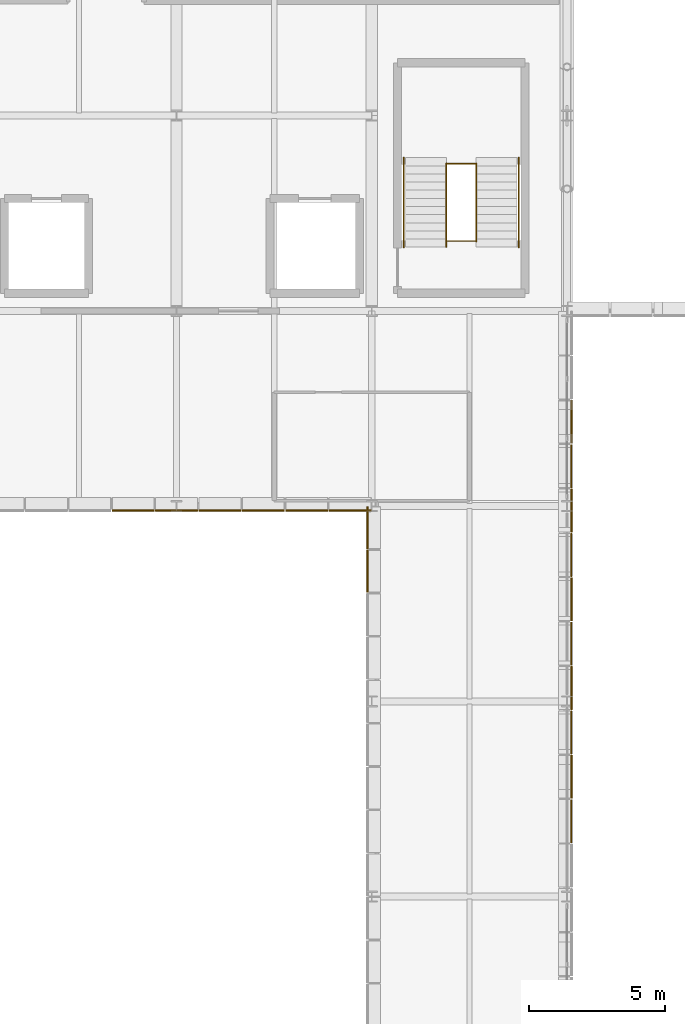
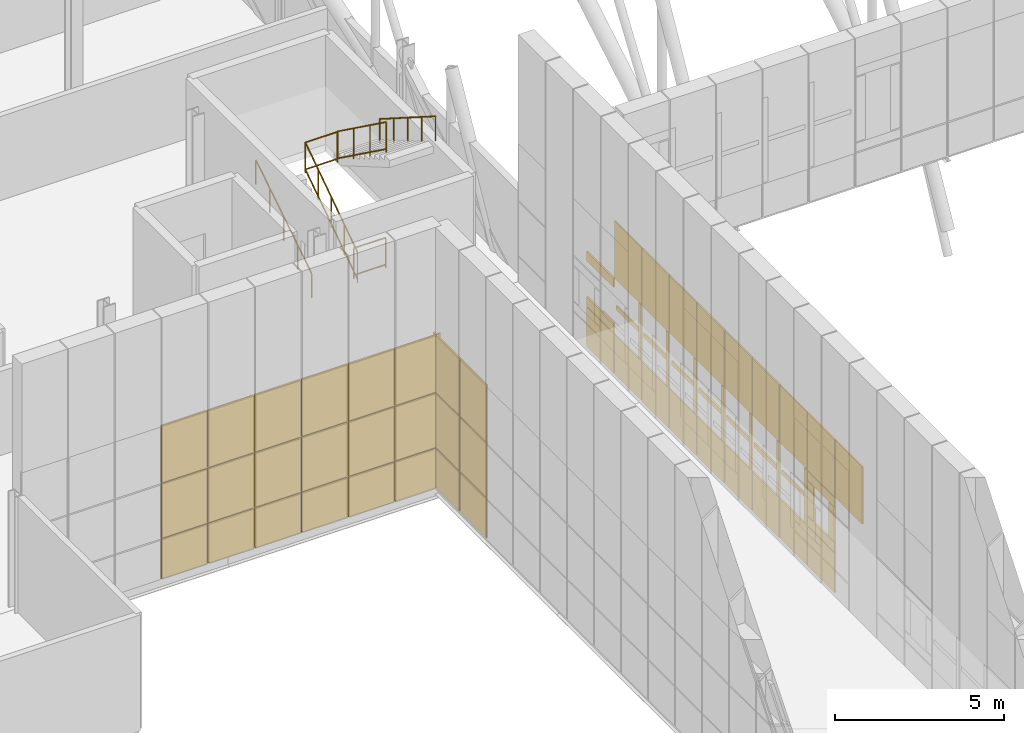
# One storey, part 131 of 144: 62 coverings, 6 railings.
"""IFC4 building model written with IfcOpenShell, lengths in metres."""

from ifc_helpers import new_model, si_unit, direction, frame, origin, origin_2d, place, context, subcontext, project, spatial, rectangle, circle, extrude, material, layer, layer_set, type_object, element, save


model = new_model("IFC4")

# Units and contexts
model_context = context("Model", 3, precision=1e-05, world=origin(), true_north=direction((0.0, 1.0)))
body_context = subcontext(model_context, "Body", "Model", "MODEL_VIEW")
ifc_project = project(units=[si_unit("LENGTHUNIT", "METRE"), si_unit("AREAUNIT", "SQUARE_METRE"), si_unit("VOLUMEUNIT", "CUBIC_METRE"), si_unit("PLANEANGLEUNIT", "RADIAN"), si_unit("MASSUNIT", "GRAM", prefix="KILO")], contexts=[model_context])

# Site, building, storey
site_placement = place(None, origin())
site = spatial("IfcSite", under=ifc_project, at=site_placement, CompositionType="ELEMENT")
building_placement = place(site_placement, origin())
building = spatial("IfcBuilding", under=site, at=building_placement, Name="Yarey Park Central Fire Station", CompositionType="ELEMENT")
storey_placement = place(building_placement, frame((0.0, 0.0, 10.199951171875)))
storey = spatial("IfcBuildingStorey", under=building, at=storey_placement, Name="L03", CompositionType="ELEMENT", Elevation=10.199951171875)

# Coverings
ifc_material_1 = material(Name="Perforated Powder-Coated Aluminium Cladding", Category="aluminium")
ifc_layer_1 = layer(ifc_material_1, 0.0419921875)
ifc_layer_set_1 = layer_set([ifc_layer_1], Name="Perforated Powder-Coated Aluminium Cladding")
covering_type_1 = type_object("IfcCoveringType", Name="ENV_COV_PERF_1", PredefinedType="CLADDING", material=ifc_layer_set_1)
covering_1_placement = place(storey_placement, frame((57.760009765625, 38.78173828125, 2.96484375), z_axis=(0.0, 0.0, 1.0), x_axis=(0.0, 1.0, 0.0)))
element("IfcCovering", 1, at=covering_1_placement, inside=storey, type_object=covering_type_1, Name="PERF_L03_0382", PredefinedType="CLADDING", context=body_context, shape_type="SweptSolid", body=[
    extrude(rectangle(XDim=1.596435546875, YDim=0.0419921875, at=origin_2d()), origin(), (0.0, 0.0, 1.0), 2.070068359375),
])
covering_2_placement = place(storey_placement, frame((57.760009765625, 42.054443359375, -0.5048828125), z_axis=(0.0, 0.0, 1.0), x_axis=(0.0, 1.0, 0.0)))
element("IfcCovering", 2, at=covering_2_placement, inside=storey, type_object=covering_type_1, Name="PERF_L03_0396", PredefinedType="CLADDING", context=body_context, shape_type="SweptSolid", body=[
    extrude(rectangle(XDim=1.596435546875, YDim=0.0419921875, at=origin_2d()), origin(), (0.0, 0.0, 1.0), 1.43994140625),
])
covering_3_placement = place(storey_placement, frame((57.760009765625, 41.34619140625, 0.96484375), z_axis=(0.0, 0.0, 1.0), x_axis=(0.0, 1.0, 0.0)))
element("IfcCovering", 3, at=covering_3_placement, inside=storey, type_object=covering_type_1, Name="PERF_L03_0397", PredefinedType="CLADDING", context=body_context, shape_type="SweptSolid", body=[
    extrude(rectangle(XDim=0.159912109375, YDim=0.0419921875, at=origin_2d()), origin(), (0.0, 0.0, 1.0), 1.969970703125),
])
covering_4_placement = place(storey_placement, frame((57.760009765625, 42.054443359375, 1.8701171875), z_axis=(0.0, 0.0, 1.0), x_axis=(0.0, 1.0, 0.0)))
element("IfcCovering", 4, at=covering_4_placement, inside=storey, type_object=covering_type_1, Name="PERF_L03_0398", PredefinedType="CLADDING", context=body_context, shape_type="SweptSolid", body=[
    extrude(rectangle(XDim=1.396484375, YDim=0.0419921875, at=origin_2d()), origin(), (0.0, 0.0, 1.0), 0.159912109375),
])
covering_5_placement = place(storey_placement, frame((57.760009765625, 42.054443359375, 2.96484375), z_axis=(0.0, 0.0, 1.0), x_axis=(0.0, 1.0, 0.0)))
element("IfcCovering", 5, at=covering_5_placement, inside=storey, type_object=covering_type_1, Name="PERF_L03_0399", PredefinedType="CLADDING", context=body_context, shape_type="SweptSolid", body=[
    extrude(rectangle(XDim=1.596435546875, YDim=0.0419921875, at=origin_2d()), origin(), (0.0, 0.0, 1.0), 2.070068359375),
])
covering_6_placement = place(storey_placement, frame((57.760009765625, 45.327392578125, -0.5048828125), z_axis=(0.0, 0.0, 1.0), x_axis=(0.0, 1.0, 0.0)))
element("IfcCovering", 6, at=covering_6_placement, inside=storey, type_object=covering_type_1, Name="PERF_L03_0410", PredefinedType="CLADDING", context=body_context, shape_type="SweptSolid", body=[
    extrude(rectangle(XDim=1.596435546875, YDim=0.0419921875, at=origin_2d()), origin(), (0.0, 0.0, 1.0), 1.43994140625),
])
covering_7_placement = place(storey_placement, frame((57.760009765625, 44.619140625, 0.96484375), z_axis=(0.0, 0.0, 1.0), x_axis=(0.0, 1.0, 0.0)))
element("IfcCovering", 7, at=covering_7_placement, inside=storey, type_object=covering_type_1, Name="PERF_L03_0411", PredefinedType="CLADDING", context=body_context, shape_type="SweptSolid", body=[
    extrude(rectangle(XDim=0.159912109375, YDim=0.0419921875, at=origin_2d()), origin(), (0.0, 0.0, 1.0), 1.969970703125),
])
covering_8_placement = place(storey_placement, frame((57.760009765625, 45.327392578125, 1.8701171875), z_axis=(0.0, 0.0, 1.0), x_axis=(0.0, 1.0, 0.0)))
element("IfcCovering", 8, at=covering_8_placement, inside=storey, type_object=covering_type_1, Name="PERF_L03_0412", PredefinedType="CLADDING", context=body_context, shape_type="SweptSolid", body=[
    extrude(rectangle(XDim=1.396484375, YDim=0.0419921875, at=origin_2d()), origin(), (0.0, 0.0, 1.0), 0.159912109375),
])
covering_9_placement = place(storey_placement, frame((57.760009765625, 45.327392578125, 2.96484375), z_axis=(0.0, 0.0, 1.0), x_axis=(0.0, 1.0, 0.0)))
element("IfcCovering", 9, at=covering_9_placement, inside=storey, type_object=covering_type_1, Name="PERF_L03_0413", PredefinedType="CLADDING", context=body_context, shape_type="SweptSolid", body=[
    extrude(rectangle(XDim=1.596435546875, YDim=0.0419921875, at=origin_2d()), origin(), (0.0, 0.0, 1.0), 2.070068359375),
])
covering_10_placement = place(storey_placement, frame((57.760009765625, 48.60009765625, -0.5048828125), z_axis=(0.0, 0.0, 1.0), x_axis=(0.0, 1.0, 0.0)))
element("IfcCovering", 10, at=covering_10_placement, inside=storey, type_object=covering_type_1, Name="PERF_L03_0424", PredefinedType="CLADDING", context=body_context, shape_type="SweptSolid", body=[
    extrude(rectangle(XDim=1.596435546875, YDim=0.0419921875, at=origin_2d()), origin(), (0.0, 0.0, 1.0), 1.43994140625),
])
covering_11_placement = place(storey_placement, frame((57.760009765625, 47.891845703125, 0.96484375), z_axis=(0.0, 0.0, 1.0), x_axis=(0.0, 1.0, 0.0)))
element("IfcCovering", 11, at=covering_11_placement, inside=storey, type_object=covering_type_1, Name="PERF_L03_0425", PredefinedType="CLADDING", context=body_context, shape_type="SweptSolid", body=[
    extrude(rectangle(XDim=0.159912109375, YDim=0.0419921875, at=origin_2d()), origin(), (0.0, 0.0, 1.0), 1.969970703125),
])
covering_12_placement = place(storey_placement, frame((57.760009765625, 48.60009765625, 1.8701171875), z_axis=(0.0, 0.0, 1.0), x_axis=(0.0, 1.0, 0.0)))
element("IfcCovering", 12, at=covering_12_placement, inside=storey, type_object=covering_type_1, Name="PERF_L03_0426", PredefinedType="CLADDING", context=body_context, shape_type="SweptSolid", body=[
    extrude(rectangle(XDim=1.396484375, YDim=0.0419921875, at=origin_2d()), origin(), (0.0, 0.0, 1.0), 0.159912109375),
])
covering_13_placement = place(storey_placement, frame((57.760009765625, 48.60009765625, 2.96484375), z_axis=(0.0, 0.0, 1.0), x_axis=(0.0, 1.0, 0.0)))
element("IfcCovering", 13, at=covering_13_placement, inside=storey, type_object=covering_type_1, Name="PERF_L03_0427", PredefinedType="CLADDING", context=body_context, shape_type="SweptSolid", body=[
    extrude(rectangle(XDim=1.596435546875, YDim=0.0419921875, at=origin_2d()), origin(), (0.0, 0.0, 1.0), 2.070068359375),
])
covering_14_placement = place(storey_placement, frame((57.760009765625, 51.872802734375, -0.5048828125), z_axis=(0.0, 0.0, 1.0), x_axis=(0.0, 1.0, 0.0)))
element("IfcCovering", 14, at=covering_14_placement, inside=storey, type_object=covering_type_1, Name="PERF_L03_0438", PredefinedType="CLADDING", context=body_context, shape_type="SweptSolid", body=[
    extrude(rectangle(XDim=1.596435546875, YDim=0.0419921875, at=origin_2d()), origin(), (0.0, 0.0, 1.0), 1.43994140625),
])
covering_15_placement = place(storey_placement, frame((57.760009765625, 51.16455078125, 0.96484375), z_axis=(0.0, 0.0, 1.0), x_axis=(0.0, 1.0, 0.0)))
element("IfcCovering", 15, at=covering_15_placement, inside=storey, type_object=covering_type_1, Name="PERF_L03_0439", PredefinedType="CLADDING", context=body_context, shape_type="SweptSolid", body=[
    extrude(rectangle(XDim=0.159912109375, YDim=0.0419921875, at=origin_2d()), origin(), (0.0, 0.0, 1.0), 1.969970703125),
])
covering_16_placement = place(storey_placement, frame((57.760009765625, 51.872802734375, 1.8701171875), z_axis=(0.0, 0.0, 1.0), x_axis=(0.0, 1.0, 0.0)))
element("IfcCovering", 16, at=covering_16_placement, inside=storey, type_object=covering_type_1, Name="PERF_L03_0440", PredefinedType="CLADDING", context=body_context, shape_type="SweptSolid", body=[
    extrude(rectangle(XDim=1.396484375, YDim=0.0419921875, at=origin_2d()), origin(), (0.0, 0.0, 1.0), 0.159912109375),
])
covering_17_placement = place(storey_placement, frame((57.760009765625, 51.872802734375, 2.96484375), z_axis=(0.0, 0.0, 1.0), x_axis=(0.0, 1.0, 0.0)))
element("IfcCovering", 17, at=covering_17_placement, inside=storey, type_object=covering_type_1, Name="PERF_L03_0441", PredefinedType="CLADDING", context=body_context, shape_type="SweptSolid", body=[
    extrude(rectangle(XDim=1.596435546875, YDim=0.0419921875, at=origin_2d()), origin(), (0.0, 0.0, 1.0), 2.070068359375),
])
covering_18_placement = place(storey_placement, frame((50.239990234375, 48.0, -0.5048828125), z_axis=(0.0, 0.0, 1.0), x_axis=(0.0, 1.0, 0.0)))
element("IfcCovering", 18, at=covering_18_placement, inside=storey, type_object=covering_type_1, Name="PERF_L03_1067", PredefinedType="CLADDING", context=body_context, shape_type="SweptSolid", body=[
    extrude(rectangle(XDim=1.56005859375, YDim=0.0419921875, at=origin_2d()), origin(), (0.0, 0.0, 1.0), 1.43994140625),
])
covering_19_placement = place(storey_placement, frame((50.239990234375, 48.0, 0.96484375), z_axis=(0.0, 0.0, 1.0), x_axis=(0.0, 1.0, 0.0)))
element("IfcCovering", 19, at=covering_19_placement, inside=storey, type_object=covering_type_1, Name="PERF_L03_1068", PredefinedType="CLADDING", context=body_context, shape_type="SweptSolid", body=[
    extrude(rectangle(XDim=1.56005859375, YDim=0.0419921875, at=origin_2d()), origin(), (0.0, 0.0, 1.0), 1.969970703125),
])
covering_20_placement = place(storey_placement, frame((50.239990234375, 48.0, 2.96484375), z_axis=(0.0, 0.0, 1.0), x_axis=(0.0, 1.0, 0.0)))
element("IfcCovering", 20, at=covering_20_placement, inside=storey, type_object=covering_type_1, Name="PERF_L03_1069", PredefinedType="CLADDING", context=body_context, shape_type="SweptSolid", body=[
    extrude(rectangle(XDim=1.56005859375, YDim=0.0419921875, at=origin_2d()), origin(), (0.0, 0.0, 1.0), 2.070068359375),
])
covering_21_placement = place(storey_placement, frame((43.199951171875, 50.239990234375, -0.5048828125), z_axis=(0.0, 0.0, 1.0), x_axis=(1.0, 0.0, 0.0)))
element("IfcCovering", 21, at=covering_21_placement, inside=storey, type_object=covering_type_1, Name="PERF_L03_1097", PredefinedType="CLADDING", context=body_context, shape_type="SweptSolid", body=[
    extrude(rectangle(XDim=1.56005859375, YDim=0.0419921875, at=origin_2d()), origin(), (0.0, 0.0, 1.0), 1.43994140625),
])
covering_22_placement = place(storey_placement, frame((43.199951171875, 50.239990234375, 0.96484375), z_axis=(0.0, 0.0, 1.0), x_axis=(1.0, 0.0, 0.0)))
element("IfcCovering", 22, at=covering_22_placement, inside=storey, type_object=covering_type_1, Name="PERF_L03_1098", PredefinedType="CLADDING", context=body_context, shape_type="SweptSolid", body=[
    extrude(rectangle(XDim=1.56005859375, YDim=0.0419921875, at=origin_2d()), origin(), (0.0, 0.0, 1.0), 1.969970703125),
])
covering_23_placement = place(storey_placement, frame((43.199951171875, 50.239990234375, 2.96484375), z_axis=(0.0, 0.0, 1.0), x_axis=(1.0, 0.0, 0.0)))
element("IfcCovering", 23, at=covering_23_placement, inside=storey, type_object=covering_type_1, Name="PERF_L03_1099", PredefinedType="CLADDING", context=body_context, shape_type="SweptSolid", body=[
    extrude(rectangle(XDim=1.56005859375, YDim=0.0419921875, at=origin_2d()), origin(), (0.0, 0.0, 1.0), 2.070068359375),
])
covering_24_placement = place(storey_placement, frame((46.39990234375, 50.239990234375, -0.5048828125), z_axis=(0.0, 0.0, 1.0), x_axis=(1.0, 0.0, 0.0)))
element("IfcCovering", 24, at=covering_24_placement, inside=storey, type_object=covering_type_1, Name="PERF_L03_1107", PredefinedType="CLADDING", context=body_context, shape_type="SweptSolid", body=[
    extrude(rectangle(XDim=1.56005859375, YDim=0.0419921875, at=origin_2d()), origin(), (0.0, 0.0, 1.0), 1.43994140625),
])
covering_25_placement = place(storey_placement, frame((46.39990234375, 50.239990234375, 0.96484375), z_axis=(0.0, 0.0, 1.0), x_axis=(1.0, 0.0, 0.0)))
element("IfcCovering", 25, at=covering_25_placement, inside=storey, type_object=covering_type_1, Name="PERF_L03_1108", PredefinedType="CLADDING", context=body_context, shape_type="SweptSolid", body=[
    extrude(rectangle(XDim=1.56005859375, YDim=0.0419921875, at=origin_2d()), origin(), (0.0, 0.0, 1.0), 1.969970703125),
])
covering_26_placement = place(storey_placement, frame((46.39990234375, 50.239990234375, 2.96484375), z_axis=(0.0, 0.0, 1.0), x_axis=(1.0, 0.0, 0.0)))
element("IfcCovering", 26, at=covering_26_placement, inside=storey, type_object=covering_type_1, Name="PERF_L03_1109", PredefinedType="CLADDING", context=body_context, shape_type="SweptSolid", body=[
    extrude(rectangle(XDim=1.56005859375, YDim=0.0419921875, at=origin_2d()), origin(), (0.0, 0.0, 1.0), 2.070068359375),
])
covering_27_placement = place(storey_placement, frame((49.60009765625, 50.239990234375, -0.5048828125), z_axis=(0.0, 0.0, 1.0), x_axis=(1.0, 0.0, 0.0)))
element("IfcCovering", 27, at=covering_27_placement, inside=storey, type_object=covering_type_1, Name="PERF_L03_1117", PredefinedType="CLADDING", context=body_context, shape_type="SweptSolid", body=[
    extrude(rectangle(XDim=1.56005859375, YDim=0.0419921875, at=origin_2d()), origin(), (0.0, 0.0, 1.0), 1.43994140625),
])
covering_28_placement = place(storey_placement, frame((49.60009765625, 50.239990234375, 0.96484375), z_axis=(0.0, 0.0, 1.0), x_axis=(1.0, 0.0, 0.0)))
element("IfcCovering", 28, at=covering_28_placement, inside=storey, type_object=covering_type_1, Name="PERF_L03_1118", PredefinedType="CLADDING", context=body_context, shape_type="SweptSolid", body=[
    extrude(rectangle(XDim=1.56005859375, YDim=0.0419921875, at=origin_2d()), origin(), (0.0, 0.0, 1.0), 1.969970703125),
])
covering_29_placement = place(storey_placement, frame((49.60009765625, 50.239990234375, 2.96484375), z_axis=(0.0, 0.0, 1.0), x_axis=(1.0, 0.0, 0.0)))
element("IfcCovering", 29, at=covering_29_placement, inside=storey, type_object=covering_type_1, Name="PERF_L03_1119", PredefinedType="CLADDING", context=body_context, shape_type="SweptSolid", body=[
    extrude(rectangle(XDim=1.56005859375, YDim=0.0419921875, at=origin_2d()), origin(), (0.0, 0.0, 1.0), 2.070068359375),
])
ifc_layer_2 = layer(ifc_material_1, 0.053955078125)
ifc_layer_set_2 = layer_set([ifc_layer_2], Name="Perforated Powder-Coated Aluminium Cladding")
covering_type_2 = type_object("IfcCoveringType", Name="ENV_COV_PERF_2", PredefinedType="CLADDING", material=ifc_layer_set_2)
covering_30_placement = place(storey_placement, frame((57.760009765625, 40.418212890625, -0.5048828125), z_axis=(0.0, 0.0, 1.0), x_axis=(0.0, 1.0, 0.0)))
element("IfcCovering", 30, at=covering_30_placement, inside=storey, type_object=covering_type_2, Name="PERF_L03_0385", PredefinedType="CLADDING", context=body_context, shape_type="SweptSolid", body=[
    extrude(rectangle(XDim=1.596435546875, YDim=0.053955078125, at=origin_2d()), origin(), (0.0, 0.0, 1.0), 1.43994140625),
])
for number, where, z_axis, x_axis, name in (
    (31, (57.760009765625, 40.418212890625, 0.9599609375), (0.0, 0.0, 1.0), (0.0, 1.0, 0.0), "PERF_L03_0386"),
    (32, (57.760009765625, 40.418212890625, 2.60009765625), (0.0, 0.0, 1.0), (0.0, 1.0, 0.0), "PERF_L03_0387"),
):
    element("IfcCovering", number, at=place(storey_placement, frame(where, z_axis=z_axis, x_axis=x_axis)), inside=storey, type_object=covering_type_2, Name=name, PredefinedType="CLADDING", context=body_context, shape_type="SweptSolid", body=[
        extrude(rectangle(XDim=1.596435546875, YDim=0.053955078125, at=origin_2d()), origin(), (0.0, 0.0, 1.0), 0.340087890625),
    ])
for number, where, z_axis, x_axis, name in (
    (33, (57.760009765625, 39.800048828125, 1.324951171875), (0.0, 0.0, 1.0), (0.0, 1.0, 0.0), "PERF_L03_0388"),
    (34, (57.760009765625, 41.036376953125, 1.324951171875), (0.0, 0.0, 1.0), (0.0, 1.0, 0.0), "PERF_L03_0389"),
):
    element("IfcCovering", number, at=place(storey_placement, frame(where, z_axis=z_axis, x_axis=x_axis)), inside=storey, type_object=covering_type_2, Name=name, PredefinedType="CLADDING", context=body_context, shape_type="SweptSolid", body=[
        extrude(rectangle(XDim=0.340087890625, YDim=0.053955078125, at=origin_2d()), origin(), (0.0, 0.0, 1.0), 1.25),
    ])
covering_31_placement = place(storey_placement, frame((57.760009765625, 40.418212890625, 2.96484375), z_axis=(0.0, 0.0, 1.0), x_axis=(0.0, 1.0, 0.0)))
element("IfcCovering", 35, at=covering_31_placement, inside=storey, type_object=covering_type_2, Name="PERF_L03_0390", PredefinedType="CLADDING", context=body_context, shape_type="SweptSolid", body=[
    extrude(rectangle(XDim=1.596435546875, YDim=0.053955078125, at=origin_2d()), origin(), (0.0, 0.0, 1.0), 2.070068359375),
])
covering_32_placement = place(storey_placement, frame((57.760009765625, 43.69091796875, -0.5048828125), z_axis=(0.0, 0.0, 1.0), x_axis=(0.0, 1.0, 0.0)))
element("IfcCovering", 36, at=covering_32_placement, inside=storey, type_object=covering_type_2, Name="PERF_L03_0403", PredefinedType="CLADDING", context=body_context, shape_type="SweptSolid", body=[
    extrude(rectangle(XDim=1.596435546875, YDim=0.053955078125, at=origin_2d()), origin(), (0.0, 0.0, 1.0), 1.43994140625),
])
covering_33_placement = place(storey_placement, frame((57.760009765625, 42.982666015625, 0.96484375), z_axis=(0.0, 0.0, 1.0), x_axis=(0.0, 1.0, 0.0)))
element("IfcCovering", 37, at=covering_33_placement, inside=storey, type_object=covering_type_2, Name="PERF_L03_0404", PredefinedType="CLADDING", context=body_context, shape_type="SweptSolid", body=[
    extrude(rectangle(XDim=0.159912109375, YDim=0.053955078125, at=origin_2d()), origin(), (0.0, 0.0, 1.0), 1.969970703125),
])
covering_34_placement = place(storey_placement, frame((57.760009765625, 43.69091796875, 1.8701171875), z_axis=(0.0, 0.0, 1.0), x_axis=(0.0, 1.0, 0.0)))
element("IfcCovering", 38, at=covering_34_placement, inside=storey, type_object=covering_type_2, Name="PERF_L03_0405", PredefinedType="CLADDING", context=body_context, shape_type="SweptSolid", body=[
    extrude(rectangle(XDim=1.396484375, YDim=0.053955078125, at=origin_2d()), origin(), (0.0, 0.0, 1.0), 0.159912109375),
])
covering_35_placement = place(storey_placement, frame((57.760009765625, 43.69091796875, 2.96484375), z_axis=(0.0, 0.0, 1.0), x_axis=(0.0, 1.0, 0.0)))
element("IfcCovering", 39, at=covering_35_placement, inside=storey, type_object=covering_type_2, Name="PERF_L03_0406", PredefinedType="CLADDING", context=body_context, shape_type="SweptSolid", body=[
    extrude(rectangle(XDim=1.596435546875, YDim=0.053955078125, at=origin_2d()), origin(), (0.0, 0.0, 1.0), 2.070068359375),
])
covering_36_placement = place(storey_placement, frame((57.760009765625, 46.963623046875, -0.5048828125), z_axis=(0.0, 0.0, 1.0), x_axis=(0.0, 1.0, 0.0)))
element("IfcCovering", 40, at=covering_36_placement, inside=storey, type_object=covering_type_2, Name="PERF_L03_0417", PredefinedType="CLADDING", context=body_context, shape_type="SweptSolid", body=[
    extrude(rectangle(XDim=1.596435546875, YDim=0.053955078125, at=origin_2d()), origin(), (0.0, 0.0, 1.0), 1.43994140625),
])
covering_37_placement = place(storey_placement, frame((57.760009765625, 46.25537109375, 0.96484375), z_axis=(0.0, 0.0, 1.0), x_axis=(0.0, 1.0, 0.0)))
element("IfcCovering", 41, at=covering_37_placement, inside=storey, type_object=covering_type_2, Name="PERF_L03_0418", PredefinedType="CLADDING", context=body_context, shape_type="SweptSolid", body=[
    extrude(rectangle(XDim=0.159912109375, YDim=0.053955078125, at=origin_2d()), origin(), (0.0, 0.0, 1.0), 1.969970703125),
])
covering_38_placement = place(storey_placement, frame((57.760009765625, 46.963623046875, 1.8701171875), z_axis=(0.0, 0.0, 1.0), x_axis=(0.0, 1.0, 0.0)))
element("IfcCovering", 42, at=covering_38_placement, inside=storey, type_object=covering_type_2, Name="PERF_L03_0419", PredefinedType="CLADDING", context=body_context, shape_type="SweptSolid", body=[
    extrude(rectangle(XDim=1.396484375, YDim=0.053955078125, at=origin_2d()), origin(), (0.0, 0.0, 1.0), 0.159912109375),
])
covering_39_placement = place(storey_placement, frame((57.760009765625, 46.963623046875, 2.96484375), z_axis=(0.0, 0.0, 1.0), x_axis=(0.0, 1.0, 0.0)))
element("IfcCovering", 43, at=covering_39_placement, inside=storey, type_object=covering_type_2, Name="PERF_L03_0420", PredefinedType="CLADDING", context=body_context, shape_type="SweptSolid", body=[
    extrude(rectangle(XDim=1.596435546875, YDim=0.053955078125, at=origin_2d()), origin(), (0.0, 0.0, 1.0), 2.070068359375),
])
covering_40_placement = place(storey_placement, frame((57.760009765625, 50.236328125, -0.5048828125), z_axis=(0.0, 0.0, 1.0), x_axis=(0.0, 1.0, 0.0)))
element("IfcCovering", 44, at=covering_40_placement, inside=storey, type_object=covering_type_2, Name="PERF_L03_0431", PredefinedType="CLADDING", context=body_context, shape_type="SweptSolid", body=[
    extrude(rectangle(XDim=1.596435546875, YDim=0.053955078125, at=origin_2d()), origin(), (0.0, 0.0, 1.0), 1.43994140625),
])
covering_41_placement = place(storey_placement, frame((57.760009765625, 49.5283203125, 0.96484375), z_axis=(0.0, 0.0, 1.0), x_axis=(0.0, 1.0, 0.0)))
element("IfcCovering", 45, at=covering_41_placement, inside=storey, type_object=covering_type_2, Name="PERF_L03_0432", PredefinedType="CLADDING", context=body_context, shape_type="SweptSolid", body=[
    extrude(rectangle(XDim=0.159912109375, YDim=0.053955078125, at=origin_2d()), origin(), (0.0, 0.0, 1.0), 1.969970703125),
])
covering_42_placement = place(storey_placement, frame((57.760009765625, 50.236328125, 1.8701171875), z_axis=(0.0, 0.0, 1.0), x_axis=(0.0, 1.0, 0.0)))
element("IfcCovering", 46, at=covering_42_placement, inside=storey, type_object=covering_type_2, Name="PERF_L03_0433", PredefinedType="CLADDING", context=body_context, shape_type="SweptSolid", body=[
    extrude(rectangle(XDim=1.396484375, YDim=0.053955078125, at=origin_2d()), origin(), (0.0, 0.0, 1.0), 0.159912109375),
])
covering_43_placement = place(storey_placement, frame((57.760009765625, 50.236328125, 2.96484375), z_axis=(0.0, 0.0, 1.0), x_axis=(0.0, 1.0, 0.0)))
element("IfcCovering", 47, at=covering_43_placement, inside=storey, type_object=covering_type_2, Name="PERF_L03_0434", PredefinedType="CLADDING", context=body_context, shape_type="SweptSolid", body=[
    extrude(rectangle(XDim=1.596435546875, YDim=0.053955078125, at=origin_2d()), origin(), (0.0, 0.0, 1.0), 2.070068359375),
])
covering_44_placement = place(storey_placement, frame((57.760009765625, 53.509033203125, -0.5048828125), z_axis=(0.0, 0.0, 1.0), x_axis=(0.0, 1.0, 0.0)))
element("IfcCovering", 48, at=covering_44_placement, inside=storey, type_object=covering_type_2, Name="PERF_L03_0445", PredefinedType="CLADDING", context=body_context, shape_type="SweptSolid", body=[
    extrude(rectangle(XDim=1.596435546875, YDim=0.053955078125, at=origin_2d()), origin(), (0.0, 0.0, 1.0), 1.43994140625),
])
for number, where, z_axis, x_axis, name in (
    (49, (57.760009765625, 53.509033203125, 0.9599609375), (0.0, 0.0, 1.0), (0.0, 1.0, 0.0), "PERF_L03_0446"),
    (50, (57.760009765625, 53.509033203125, 2.60009765625), (0.0, 0.0, 1.0), (0.0, 1.0, 0.0), "PERF_L03_0447"),
):
    element("IfcCovering", number, at=place(storey_placement, frame(where, z_axis=z_axis, x_axis=x_axis)), inside=storey, type_object=covering_type_2, Name=name, PredefinedType="CLADDING", context=body_context, shape_type="SweptSolid", body=[
        extrude(rectangle(XDim=1.596435546875, YDim=0.053955078125, at=origin_2d()), origin(), (0.0, 0.0, 1.0), 0.340087890625),
    ])
covering_45_placement = place(storey_placement, frame((50.239990234375, 49.60009765625, -0.5048828125), z_axis=(0.0, 0.0, 1.0), x_axis=(0.0, 1.0, 0.0)))
element("IfcCovering", 51, at=covering_45_placement, inside=storey, type_object=covering_type_2, Name="PERF_L03_1072", PredefinedType="CLADDING", context=body_context, shape_type="SweptSolid", body=[
    extrude(rectangle(XDim=1.56005859375, YDim=0.053955078125, at=origin_2d()), origin(), (0.0, 0.0, 1.0), 1.43994140625),
])
covering_46_placement = place(storey_placement, frame((50.239990234375, 49.60009765625, 0.96484375), z_axis=(0.0, 0.0, 1.0), x_axis=(0.0, 1.0, 0.0)))
element("IfcCovering", 52, at=covering_46_placement, inside=storey, type_object=covering_type_2, Name="PERF_L03_1073", PredefinedType="CLADDING", context=body_context, shape_type="SweptSolid", body=[
    extrude(rectangle(XDim=1.56005859375, YDim=0.053955078125, at=origin_2d()), origin(), (0.0, 0.0, 1.0), 1.969970703125),
])
covering_47_placement = place(storey_placement, frame((50.239990234375, 49.60009765625, 2.96484375), z_axis=(0.0, 0.0, 1.0), x_axis=(0.0, 1.0, 0.0)))
element("IfcCovering", 53, at=covering_47_placement, inside=storey, type_object=covering_type_2, Name="PERF_L03_1074", PredefinedType="CLADDING", context=body_context, shape_type="SweptSolid", body=[
    extrude(rectangle(XDim=1.56005859375, YDim=0.053955078125, at=origin_2d()), origin(), (0.0, 0.0, 1.0), 2.070068359375),
])
covering_48_placement = place(storey_placement, frame((41.60009765625, 50.239990234375, -0.5048828125), z_axis=(0.0, 0.0, 1.0), x_axis=(1.0, 0.0, 0.0)))
element("IfcCovering", 54, at=covering_48_placement, inside=storey, type_object=covering_type_2, Name="PERF_L03_1092", PredefinedType="CLADDING", context=body_context, shape_type="SweptSolid", body=[
    extrude(rectangle(XDim=1.56005859375, YDim=0.053955078125, at=origin_2d()), origin(), (0.0, 0.0, 1.0), 1.43994140625),
])
covering_49_placement = place(storey_placement, frame((41.60009765625, 50.239990234375, 0.96484375), z_axis=(0.0, 0.0, 1.0), x_axis=(1.0, 0.0, 0.0)))
element("IfcCovering", 55, at=covering_49_placement, inside=storey, type_object=covering_type_2, Name="PERF_L03_1093", PredefinedType="CLADDING", context=body_context, shape_type="SweptSolid", body=[
    extrude(rectangle(XDim=1.56005859375, YDim=0.053955078125, at=origin_2d()), origin(), (0.0, 0.0, 1.0), 1.969970703125),
])
covering_50_placement = place(storey_placement, frame((41.60009765625, 50.239990234375, 2.96484375), z_axis=(0.0, 0.0, 1.0), x_axis=(1.0, 0.0, 0.0)))
element("IfcCovering", 56, at=covering_50_placement, inside=storey, type_object=covering_type_2, Name="PERF_L03_1094", PredefinedType="CLADDING", context=body_context, shape_type="SweptSolid", body=[
    extrude(rectangle(XDim=1.56005859375, YDim=0.053955078125, at=origin_2d()), origin(), (0.0, 0.0, 1.0), 2.070068359375),
])
covering_51_placement = place(storey_placement, frame((44.800048828125, 50.239990234375, -0.5048828125), z_axis=(0.0, 0.0, 1.0), x_axis=(1.0, 0.0, 0.0)))
element("IfcCovering", 57, at=covering_51_placement, inside=storey, type_object=covering_type_2, Name="PERF_L03_1102", PredefinedType="CLADDING", context=body_context, shape_type="SweptSolid", body=[
    extrude(rectangle(XDim=1.56005859375, YDim=0.053955078125, at=origin_2d()), origin(), (0.0, 0.0, 1.0), 1.43994140625),
])
covering_52_placement = place(storey_placement, frame((44.800048828125, 50.239990234375, 0.96484375), z_axis=(0.0, 0.0, 1.0), x_axis=(1.0, 0.0, 0.0)))
element("IfcCovering", 58, at=covering_52_placement, inside=storey, type_object=covering_type_2, Name="PERF_L03_1103", PredefinedType="CLADDING", context=body_context, shape_type="SweptSolid", body=[
    extrude(rectangle(XDim=1.56005859375, YDim=0.053955078125, at=origin_2d()), origin(), (0.0, 0.0, 1.0), 1.969970703125),
])
covering_53_placement = place(storey_placement, frame((44.800048828125, 50.239990234375, 2.96484375), z_axis=(0.0, 0.0, 1.0), x_axis=(1.0, 0.0, 0.0)))
element("IfcCovering", 59, at=covering_53_placement, inside=storey, type_object=covering_type_2, Name="PERF_L03_1104", PredefinedType="CLADDING", context=body_context, shape_type="SweptSolid", body=[
    extrude(rectangle(XDim=1.56005859375, YDim=0.053955078125, at=origin_2d()), origin(), (0.0, 0.0, 1.0), 2.070068359375),
])
covering_54_placement = place(storey_placement, frame((48.0, 50.239990234375, -0.5048828125), z_axis=(0.0, 0.0, 1.0), x_axis=(1.0, 0.0, 0.0)))
element("IfcCovering", 60, at=covering_54_placement, inside=storey, type_object=covering_type_2, Name="PERF_L03_1112", PredefinedType="CLADDING", context=body_context, shape_type="SweptSolid", body=[
    extrude(rectangle(XDim=1.56005859375, YDim=0.053955078125, at=origin_2d()), origin(), (0.0, 0.0, 1.0), 1.43994140625),
])
covering_55_placement = place(storey_placement, frame((48.0, 50.239990234375, 0.96484375), z_axis=(0.0, 0.0, 1.0), x_axis=(1.0, 0.0, 0.0)))
element("IfcCovering", 61, at=covering_55_placement, inside=storey, type_object=covering_type_2, Name="PERF_L03_1113", PredefinedType="CLADDING", context=body_context, shape_type="SweptSolid", body=[
    extrude(rectangle(XDim=1.56005859375, YDim=0.053955078125, at=origin_2d()), origin(), (0.0, 0.0, 1.0), 1.969970703125),
])
covering_56_placement = place(storey_placement, frame((48.0, 50.239990234375, 2.96484375), z_axis=(0.0, 0.0, 1.0), x_axis=(1.0, 0.0, 0.0)))
element("IfcCovering", 62, at=covering_56_placement, inside=storey, type_object=covering_type_2, Name="PERF_L03_1114", PredefinedType="CLADDING", context=body_context, shape_type="SweptSolid", body=[
    extrude(rectangle(XDim=1.56005859375, YDim=0.053955078125, at=origin_2d()), origin(), (0.0, 0.0, 1.0), 2.070068359375),
])

# Railings
ifc_material_2 = material(Name="Galvanized Steel Balustrade", Category="steel")
railing_type_1 = type_object("IfcRailingType", Name="INT_RAIL_GUARD112", PredefinedType="BALUSTRADE", material=ifc_material_2)
railing_1_placement = place(storey_placement, frame((53.14990234375, 59.949951171875, 0.0)))
element("IfcRailing", 63, at=railing_1_placement, inside=storey, type_object=railing_type_1, Name="GRD_C4_L03_F1", PredefinedType="BALUSTRADE", context=body_context, shape_type="SweptSolid", body=[
    extrude(circle(Radius=0.02392578125, at=origin_2d()), frame((0.0, 0.0, 1.09619140625), z_axis=(0.0, 0.827914784024, 0.560853911811), x_axis=(-1.0, 0.0, 0.0)), (0.0, 0.0, 1.0), 3.744384765625),
    extrude(circle(Radius=0.02392578125, at=origin_2d()), frame((0.0, 0.0, 0.1201171875), z_axis=(0.0, 0.827914784024, 0.560853911811), x_axis=(-1.0, 0.0, 0.0)), (0.0, 0.0, 1.0), 3.744384765625),
    extrude(circle(Radius=0.02099609375, at=origin_2d()), origin(), (0.0, 0.0, 1.0), 1.072021484375),
    extrude(circle(Radius=0.02099609375, at=origin_2d()), frame((0.0, 0.77490234375, 0.52490234375)), (0.0, 0.0, 1.0), 1.072021484375),
    extrude(circle(Radius=0.02099609375, at=origin_2d()), frame((0.0, 1.550048828125, 1.050048828125)), (0.0, 0.0, 1.0), 1.072021484375),
    extrude(circle(Radius=0.02099609375, at=origin_2d()), frame((0.0, 2.3251953125, 1.5751953125)), (0.0, 0.0, 1.0), 1.072021484375),
    extrude(circle(Radius=0.02099609375, at=origin_2d()), frame((0.0, 3.10009765625, 2.10009765625)), (0.0, 0.0, 1.0), 1.072021484375),
])
railing_2_placement = place(storey_placement, frame((54.25, 63.050048828125, 2.10009765625)))
element("IfcRailing", 64, at=railing_2_placement, inside=storey, type_object=railing_type_1, Name="GRD_C4_L03_F2", PredefinedType="BALUSTRADE", context=body_context, shape_type="SweptSolid", body=[
    extrude(circle(Radius=0.02392578125, at=origin_2d()), frame((0.0, 0.0, 1.09619140625), z_axis=(0.0, -0.809975627919, 0.586463538659), x_axis=(1.0, 0.0, 0.0)), (0.0, 0.0, 1.0), 3.58056640625),
    extrude(circle(Radius=0.02392578125, at=origin_2d()), frame((0.0, 0.0, 0.1201171875), z_axis=(0.0, -0.809975627919, 0.586463538659), x_axis=(1.0, 0.0, 0.0)), (0.0, 0.0, 1.0), 3.58056640625),
    extrude(circle(Radius=0.02099609375, at=origin_2d()), origin(), (0.0, 0.0, 1.0), 1.072021484375),
    extrude(circle(Radius=0.02099609375, at=origin_2d()), frame((0.0, -0.966796875, 0.699951171875)), (0.0, 0.0, 1.0), 1.072021484375),
    extrude(circle(Radius=0.02099609375, at=origin_2d()), frame((0.0, -1.933349609375, 1.39990234375)), (0.0, 0.0, 1.0), 1.072021484375),
    extrude(circle(Radius=0.02099609375, at=origin_2d()), frame((0.0, -2.900146484375, 2.099853515625)), (0.0, 0.0, 1.0), 1.072021484375),
])
for number, where, name in (
    (65, (53.14990234375, 63.030029296875, 2.10009765625), "GRD_C4_L03_SLOT_MID"),
    (66, (53.14990234375, 60.179931640625, 0.0), "GRD_C4_L03_SLOT_BOT"),
):
    element("IfcRailing", number, at=place(storey_placement, frame(where)), inside=storey, type_object=railing_type_1, Name=name, PredefinedType="BALUSTRADE", context=body_context, shape_type="SweptSolid", body=[
        extrude(circle(Radius=0.02392578125, at=origin_2d()), frame((0.0, 0.0, 1.09619140625), z_axis=(1.0, 0.0, 0.0), x_axis=(0.0, 1.0, 0.0)), (0.0, 0.0, 1.0), 1.10009765625),
        extrude(circle(Radius=0.02392578125, at=origin_2d()), frame((0.0, 0.0, 0.1201171875), z_axis=(1.0, 0.0, 0.0), x_axis=(0.0, 1.0, 0.0)), (0.0, 0.0, 1.0), 1.10009765625),
        extrude(circle(Radius=0.02099609375, at=origin_2d()), origin(), (0.0, 0.0, 1.0), 1.072021484375),
        extrude(circle(Radius=0.02099609375, at=origin_2d()), frame((1.10009765625, 0.0, 0.0)), (0.0, 0.0, 1.0), 1.072021484375),
    ])
ifc_material_3 = material(Name="Stainless Steel AISI 316L", Category="steel")
railing_type_2 = type_object("IfcRailingType", Name="INT_RAIL_HAND090", PredefinedType="HANDRAIL", material=ifc_material_3)
railing_3_placement = place(storey_placement, frame((51.580078125, 59.949951171875, 0.0)))
element("IfcRailing", 67, at=railing_3_placement, inside=storey, type_object=railing_type_2, Name="HR_C4_L03_F1", PredefinedType="HANDRAIL", context=body_context, shape_type="SweptSolid", body=[
    extrude(circle(Radius=0.02392578125, at=origin_2d()), frame((0.0, 0.0, 0.8759765625), z_axis=(0.0, 0.843653777646, 0.53688760785), x_axis=(-1.0, 0.0, 0.0)), (0.0, 0.0, 1.0), 3.91162109375),
    extrude(circle(Radius=0.02099609375, at=origin_2d()), origin(), (0.0, 0.0, 1.0), 0.851806640625),
    extrude(circle(Radius=0.02099609375, at=origin_2d()), frame((0.0, 0.824951171875, 0.52490234375)), (0.0, 0.0, 1.0), 0.851806640625),
    extrude(circle(Radius=0.02099609375, at=origin_2d()), frame((0.0, 1.64990234375, 1.050048828125)), (0.0, 0.0, 1.0), 0.851806640625),
    extrude(circle(Radius=0.02099609375, at=origin_2d()), frame((0.0, 2.47509765625, 1.5751953125)), (0.0, 0.0, 1.0), 0.851806640625),
    extrude(circle(Radius=0.02099609375, at=origin_2d()), frame((0.0, 3.300048828125, 2.10009765625)), (0.0, 0.0, 1.0), 0.851806640625),
])
railing_4_placement = place(storey_placement, frame((55.820068359375, 63.25, 2.10009765625)))
element("IfcRailing", 68, at=railing_4_placement, inside=storey, type_object=railing_type_2, Name="HR_C4_L03_F2", PredefinedType="HANDRAIL", context=body_context, shape_type="SweptSolid", body=[
    extrude(circle(Radius=0.02392578125, at=origin_2d()), frame((0.0, 0.0, 0.8759765625), z_axis=(0.0, -0.843682047799, 0.53684318215), x_axis=(1.0, 0.0, 0.0)), (0.0, 0.0, 1.0), 3.911376953125),
    extrude(circle(Radius=0.02099609375, at=origin_2d()), origin(), (0.0, 0.0, 1.0), 0.851806640625),
    extrude(circle(Radius=0.02099609375, at=origin_2d()), frame((0.0, -0.824951171875, 0.52490234375)), (0.0, 0.0, 1.0), 0.851806640625),
    extrude(circle(Radius=0.02099609375, at=origin_2d()), frame((0.0, -1.64990234375, 1.0498046875)), (0.0, 0.0, 1.0), 0.851806640625),
    extrude(circle(Radius=0.02099609375, at=origin_2d()), frame((0.0, -2.47509765625, 1.574951171875)), (0.0, 0.0, 1.0), 0.851806640625),
    extrude(circle(Radius=0.02099609375, at=origin_2d()), frame((0.0, -3.300048828125, 2.099853515625)), (0.0, 0.0, 1.0), 0.851806640625),
])

save(model, "model.ifc")
